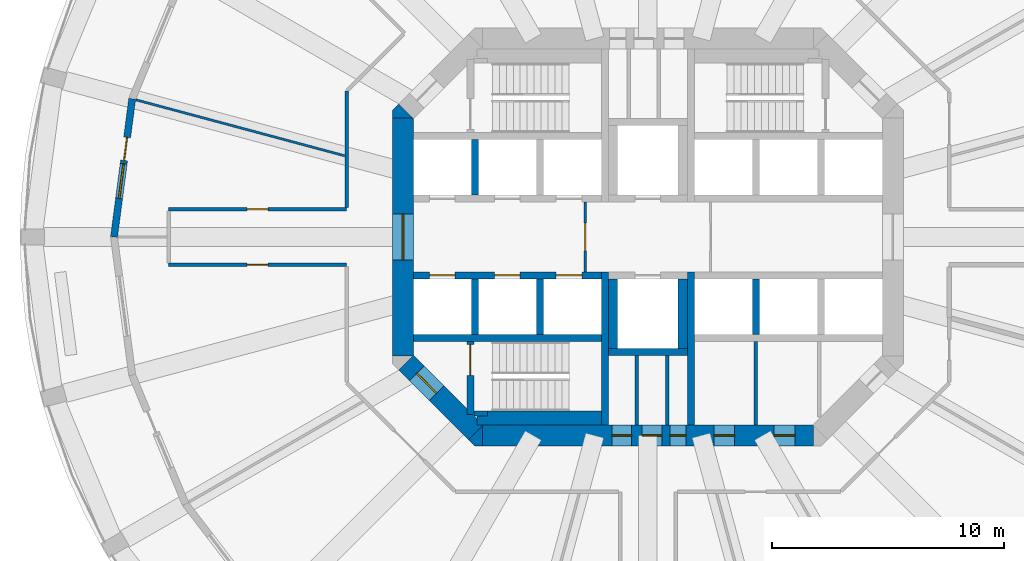
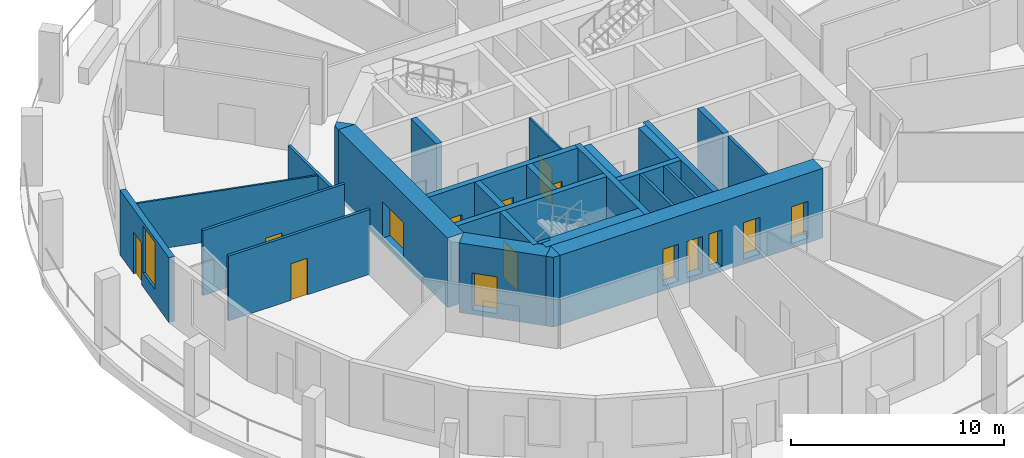
# One storey, part 3 of 9: 28 walls, 15 doors, 1 window, 16 openings.
"""IFC4 building model written with IfcOpenShell, lengths in metres."""

from ifc_helpers import new_model, si_unit, direction, frame, frame_2d, origin, place, context, subcontext, project, spatial, polyline, rectangle, outline, extrude, material, layer, layer_set, type_object, element, fill, save


model = new_model("IFC4")

# Units and contexts
model_context = context("Model", 3, precision=1e-05, world=origin(), true_north=direction((0.0, 1.0)))
body_context = subcontext(model_context, "Body", "Model", "MODEL_VIEW")
ifc_project = project(units=[si_unit("LENGTHUNIT", "METRE"), si_unit("AREAUNIT", "SQUARE_METRE"), si_unit("VOLUMEUNIT", "CUBIC_METRE"), si_unit("PLANEANGLEUNIT", "RADIAN"), si_unit("MASSUNIT", "GRAM", prefix="KILO")], contexts=[model_context])

# Site, building, storey
site_placement = place(None, origin())
site = spatial("IfcSite", under=ifc_project, at=site_placement, CompositionType="ELEMENT")
building_placement = place(site_placement, origin())
building = spatial("IfcBuilding", under=site, at=building_placement, Name="Torre Triforio", CompositionType="ELEMENT")
storey_placement = place(building_placement, frame((0.0, 0.0, 71.0)))
storey = spatial("IfcBuildingStorey", under=building, at=storey_placement, Name="L15", CompositionType="ELEMENT", Elevation=71.0)

# Walls
ifc_material_1 = material(Name="Concrete C60", Category="concrete")
ifc_layer_1 = layer(ifc_material_1, 0.300048828125)
ifc_layer_set_1 = layer_set([ifc_layer_1], Name="Concrete C60")
wall_type_1 = type_object("IfcWallType", Name="Core wall 300 mm C60 EI 120", PredefinedType="SHEAR", material=ifc_layer_set_1)
for number, where, z_axis, x_axis, name in (
    (1, (-1.85009765625, -8.10009765625, 0.0), (0.0, 0.0, 1.0), (0.0, 1.0, 0.0), "Core wall"),
    (2, (1.85009765625, -8.10009765625, 0.0), (0.0, 0.0, 1.0), (0.0, 1.0, 0.0), "Core wall"),
):
    element("IfcWall", number, at=place(storey_placement, frame(where, z_axis=z_axis, x_axis=x_axis)), inside=storey, type_object=wall_type_1, Name=name, PredefinedType="SHEAR", context=body_context, shape_type="SweptSolid", body=[
        extrude(rectangle(XDim=6.60009765625, YDim=0.300048828125, at=frame_2d((3.300048828125, 0.0))), origin(), (0.0, 0.0, 1.0), 3.719970703125),
    ])

# Wall, openings, doors
ifc_layer_2 = layer(ifc_material_1, 0.89990234375)
ifc_layer_set_2 = layer_set([ifc_layer_2], Name="Concrete C60")
wall_type_2 = type_object("IfcWallType", Name="Core wall 900 mm C60 EI 120", PredefinedType="SHEAR", material=ifc_layer_set_2)
wall_1_placement = place(storey_placement, frame((-7.1298828125, -8.550048828125, -0.280029296875), z_axis=(0.0, 0.0, 1.0), x_axis=(1.0, 0.0, 0.0)))
wall_1 = element("IfcWall", 3, at=wall_1_placement, inside=storey, type_object=wall_type_2, Name="Core wall", PredefinedType="SHEAR", context=body_context, shape_type="SweptSolid", body=[
    extrude(rectangle(XDim=14.259765625, YDim=0.89990234375, at=frame_2d((7.1298828125, 0.0))), origin(), (0.0, 0.0, 1.0), 4.0),
])
opening_1_placement = place(wall_1_placement, frame((8.080078125, 0.0, 0.280029296875)))
opening_1 = element("IfcOpeningElement", 4, at=opening_1_placement, cuts=wall_1, Name="Opening RISER-S", PredefinedType="OPENING", context=body_context, shape_type="SweptSolid", body=[
    extrude(rectangle(XDim=0.699951171875, YDim=2.10009765625, at=frame_2d((0.35009765625, 1.050048828125))), frame((0.0, 0.4599609375, 0.0), z_axis=(0.0, -1.0, 0.0), x_axis=(1.0, 0.0, 0.0)), (0.0, 0.0, 1.0), 0.919921875),
])
opening_2_placement = place(wall_1_placement, frame((5.580078125, 0.0, 0.280029296875)))
opening_2 = element("IfcOpeningElement", 5, at=opening_2_placement, cuts=wall_1, Name="Opening SW-01A", PredefinedType="OPENING", context=body_context, shape_type="SweptSolid", body=[
    extrude(rectangle(XDim=0.85009765625, YDim=2.10009765625, at=frame_2d((0.425048828125, 1.050048828125))), frame((0.0, 0.4599609375, 0.0), z_axis=(0.0, -1.0, 0.0), x_axis=(1.0, 0.0, 0.0)), (0.0, 0.0, 1.0), 0.919921875),
])
opening_3_placement = place(wall_1_placement, frame((6.8798828125, 0.0, 0.280029296875)))
opening_3 = element("IfcOpeningElement", 6, at=opening_3_placement, cuts=wall_1, Name="Opening SW-02", PredefinedType="OPENING", context=body_context, shape_type="SweptSolid", body=[
    extrude(rectangle(XDim=0.85009765625, YDim=2.10009765625, at=frame_2d((0.425048828125, 1.050048828125))), frame((0.0, 0.4599609375, 0.0), z_axis=(0.0, -1.0, 0.0), x_axis=(1.0, 0.0, 0.0)), (0.0, 0.0, 1.0), 0.919921875),
])
opening_4_placement = place(wall_1_placement, frame((9.967041015625, 0.0, 0.280029296875)))
opening_4 = element("IfcOpeningElement", 7, at=opening_4_placement, cuts=wall_1, Name="Opening SE-01A", PredefinedType="OPENING", context=body_context, shape_type="SweptSolid", body=[
    extrude(rectangle(XDim=0.89990234375, YDim=2.10009765625, at=frame_2d((0.449951171875, 1.050048828125))), frame((0.0, 0.4599609375, 0.0), z_axis=(0.0, -1.0, 0.0), x_axis=(1.0, 0.0, 0.0)), (0.0, 0.0, 1.0), 0.919921875),
])
opening_5_placement = place(wall_1_placement, frame((12.56689453125, 0.0, 0.280029296875)))
opening_5 = element("IfcOpeningElement", 8, at=opening_5_placement, cuts=wall_1, Name="Opening SE-02", PredefinedType="OPENING", context=body_context, shape_type="SweptSolid", body=[
    extrude(rectangle(XDim=0.89990234375, YDim=2.10009765625, at=frame_2d((0.449951171875, 1.050048828125))), frame((0.0, 0.4599609375, 0.0), z_axis=(0.0, -1.0, 0.0), x_axis=(1.0, 0.0, 0.0)), (0.0, 0.0, 1.0), 0.919921875),
])
ifc_material_2 = material(Name="Hollow metal fire door leaf")
door_type_1 = type_object("IfcDoorType", Name="Riser door 700 x 2100 EI 60", OperationType="NOTDEFINED", PredefinedType="DOOR", material=ifc_material_2)
door_1_placement = place(opening_1_placement, origin())
door_1 = element("IfcDoor", 9, at=door_1_placement, inside=storey, type_object=door_type_1, Name="Core door RISER-S", OperationType="SINGLE_SWING_RIGHT", OverallHeight=2.10009765625, OverallWidth=0.699951171875, PredefinedType="DOOR", context=body_context, shape_type="SweptSolid", body=[
    extrude(rectangle(XDim=0.699951171875, YDim=2.10009765625, at=frame_2d((0.35009765625, 1.050048828125))), frame((0.0, 0.02490234375, 0.0), z_axis=(0.0, -1.0, 0.0), x_axis=(1.0, 0.0, 0.0)), (0.0, 0.0, 1.0), 0.050048828125),
])
fill(opening_1, door_1)
door_type_2 = type_object("IfcDoorType", Name="Room door 850 x 2100 EI 60", OperationType="NOTDEFINED", PredefinedType="DOOR", material=ifc_material_2)
door_2_placement = place(opening_2_placement, origin())
door_2 = element("IfcDoor", 10, at=door_2_placement, inside=storey, type_object=door_type_2, Name="Core door SW-01", OperationType="SINGLE_SWING_RIGHT", OverallHeight=2.10009765625, OverallWidth=0.85009765625, PredefinedType="DOOR", context=body_context, shape_type="SweptSolid", body=[
    extrude(rectangle(XDim=0.85009765625, YDim=2.10009765625, at=frame_2d((0.425048828125, 1.050048828125))), frame((0.0, 0.02490234375, 0.0), z_axis=(0.0, -1.0, 0.0), x_axis=(1.0, 0.0, 0.0)), (0.0, 0.0, 1.0), 0.050048828125),
])
fill(opening_2, door_2)
door_3_placement = place(opening_3_placement, origin())
door_3 = element("IfcDoor", 11, at=door_3_placement, inside=storey, type_object=door_type_2, Name="Core door SW-02", OperationType="SINGLE_SWING_LEFT", OverallHeight=2.10009765625, OverallWidth=0.85009765625, PredefinedType="DOOR", context=body_context, shape_type="SweptSolid", body=[
    extrude(rectangle(XDim=0.85009765625, YDim=2.10009765625, at=frame_2d((0.425048828125, 1.050048828125))), frame((0.0, 0.02490234375, 0.0), z_axis=(0.0, -1.0, 0.0), x_axis=(1.0, 0.0, 0.0)), (0.0, 0.0, 1.0), 0.050048828125),
])
fill(opening_3, door_3)
door_type_3 = type_object("IfcDoorType", Name="Room door 900 x 2100 EI 60", OperationType="NOTDEFINED", PredefinedType="DOOR", material=ifc_material_2)
door_4_placement = place(opening_4_placement, origin())
door_4 = element("IfcDoor", 12, at=door_4_placement, inside=storey, type_object=door_type_3, Name="Core door SE-01", OperationType="SINGLE_SWING_LEFT", OverallHeight=2.10009765625, OverallWidth=0.89990234375, PredefinedType="DOOR", context=body_context, shape_type="SweptSolid", body=[
    extrude(rectangle(XDim=0.89990234375, YDim=2.10009765625, at=frame_2d((0.449951171875, 1.050048828125))), frame((0.0, 0.02490234375, 0.0), z_axis=(0.0, -1.0, 0.0), x_axis=(1.0, 0.0, 0.0)), (0.0, 0.0, 1.0), 0.050048828125),
])
fill(opening_4, door_4)
door_5_placement = place(opening_5_placement, origin())
door_5 = element("IfcDoor", 13, at=door_5_placement, inside=storey, type_object=door_type_3, Name="Core door SE-02", OperationType="SINGLE_SWING_LEFT", OverallHeight=2.10009765625, OverallWidth=0.89990234375, PredefinedType="DOOR", context=body_context, shape_type="SweptSolid", body=[
    extrude(rectangle(XDim=0.89990234375, YDim=2.10009765625, at=frame_2d((0.449951171875, 1.050048828125))), frame((0.0, 0.02490234375, 0.0), z_axis=(0.0, -1.0, 0.0), x_axis=(1.0, 0.0, 0.0)), (0.0, 0.0, 1.0), 0.050048828125),
])
fill(opening_5, door_5)

# Wall, opening, door
wall_2_placement = place(storey_placement, frame((-10.550048828125, -5.1298828125, -0.280029296875), z_axis=(0.0, 0.0, 1.0), x_axis=(0.0, 1.0, 0.0)))
wall_2 = element("IfcWall", 14, at=wall_2_placement, inside=storey, type_object=wall_type_2, Name="Core wall", PredefinedType="SHEAR", context=body_context, shape_type="SweptSolid", body=[
    extrude(rectangle(XDim=10.259765625, YDim=0.89990234375, at=frame_2d((5.1298828125, 0.0))), origin(), (0.0, 0.0, 1.0), 4.0),
])
opening_6_placement = place(wall_2_placement, frame((4.1298828125, 0.0, 0.280029296875)))
opening_6 = element("IfcOpeningElement", 15, at=opening_6_placement, cuts=wall_2, Name="Opening W-RING", PredefinedType="OPENING", context=body_context, shape_type="SweptSolid", body=[
    extrude(rectangle(XDim=2.0, YDim=2.10009765625, at=frame_2d((1.0, 1.050048828125))), frame((0.0, 0.4599609375, 0.0), z_axis=(0.0, -1.0, 0.0), x_axis=(1.0, 0.0, 0.0)), (0.0, 0.0, 1.0), 0.919921875),
])
door_type_4 = type_object("IfcDoorType", Name="Lobby door 2000 x 2100 EI 60", OperationType="DOUBLE_DOOR_SINGLE_SWING", PredefinedType="DOOR", material=ifc_material_2)
door_6_placement = place(opening_6_placement, origin())
door_6 = element("IfcDoor", 16, at=door_6_placement, inside=storey, type_object=door_type_4, Name="Core door W-RING", OperationType="DOUBLE_DOOR_SINGLE_SWING", OverallHeight=2.10009765625, OverallWidth=2.0, PredefinedType="DOOR", context=body_context, shape_type="SweptSolid", body=[
    extrude(rectangle(XDim=2.0, YDim=2.10009765625, at=frame_2d((1.0, 1.050048828125))), frame((0.0, 0.02490234375, 0.0), z_axis=(0.0, -1.0, 0.0), x_axis=(1.0, 0.0, 0.0)), (0.0, 0.0, 1.0), 0.050048828125),
])
fill(opening_6, door_6)

wall_3_placement = place(storey_placement, frame((-7.418212890625, -8.418212890625, -0.280029296875), z_axis=(0.0, 0.0, 1.0), x_axis=(-0.707106781187, 0.707106781187, 0.0)))
wall_3 = element("IfcWall", 17, at=wall_3_placement, inside=storey, type_object=wall_type_2, Name="Core wall", PredefinedType="SHEAR", context=body_context, shape_type="SweptSolid", body=[
    extrude(rectangle(XDim=4.24267578125, YDim=0.89990234375, at=frame_2d((2.121337890625, 0.0))), origin(), (0.0, 0.0, 1.0), 4.0),
])
opening_7_placement = place(wall_3_placement, frame((2.392578125, 0.0, 0.280029296875)))
opening_7 = element("IfcOpeningElement", 18, at=opening_7_placement, cuts=wall_3, Name="Opening ST3-EXIT", PredefinedType="OPENING", context=body_context, shape_type="SweptSolid", body=[
    extrude(rectangle(XDim=1.199951171875, YDim=2.10009765625, at=frame_2d((0.60009765625, 1.050048828125))), frame((0.0, 0.4599609375, 0.0), z_axis=(0.0, -1.0, 0.0), x_axis=(1.0, 0.0, 0.0)), (0.0, 0.0, 1.0), 0.919921875),
])
door_type_5 = type_object("IfcDoorType", Name="Stair lobby door 1200 x 2100 EI 60", OperationType="NOTDEFINED", PredefinedType="DOOR", material=ifc_material_2)
door_7_placement = place(opening_7_placement, origin())
door_7 = element("IfcDoor", 19, at=door_7_placement, inside=storey, type_object=door_type_5, Name="Core door ST3-EXIT", OperationType="SINGLE_SWING_RIGHT", OverallHeight=2.10009765625, OverallWidth=1.199951171875, PredefinedType="DOOR", context=body_context, shape_type="SweptSolid", body=[
    extrude(rectangle(XDim=1.199951171875, YDim=2.10009765625, at=frame_2d((0.60009765625, 1.050048828125))), frame((0.0, 0.02490234375, 0.0), z_axis=(0.0, -1.0, 0.0), x_axis=(1.0, 0.0, 0.0)), (0.0, 0.0, 1.0), 0.050048828125),
])
fill(opening_7, door_7)

# Walls
wall_4_placement = place(storey_placement, frame((0.0, 0.0, -0.280029296875)))
element("IfcWall", 20, at=wall_4_placement, inside=storey, type_object=wall_type_2, Name="Core wall", PredefinedType="SHEAR", context=body_context, shape_type="SweptSolid", body=[
    extrude(outline(polyline([(-7.472900390625, -9.0), (-7.736328125, -8.736328125), (-7.1298828125, -8.1298828125), (-7.1298828125, -9.0), (-7.472900390625, -9.0)])), origin(), (0.0, 0.0, 1.0), 4.0),
])
wall_5_placement = place(storey_placement, frame((0.0, 0.0, -0.280029296875)))
element("IfcWall", 21, at=wall_5_placement, inside=storey, type_object=wall_type_2, Name="Core wall", PredefinedType="SHEAR", context=body_context, shape_type="SweptSolid", body=[
    extrude(outline(polyline([(-10.736328125, 5.736328125), (-10.1298828125, 5.1298828125), (-11.0, 5.1298828125), (-11.0, 5.472900390625), (-10.736328125, 5.736328125)])), origin(), (0.0, 0.0, 1.0), 4.0),
])

# Wall, opening, door
ifc_material_3 = material(Name="Plasterboard on metal studs")
ifc_layer_3 = layer(ifc_material_3, 0.14990234375)
ifc_layer_set_3 = layer_set([ifc_layer_3], Name="Plasterboard on metal studs")
wall_type_3 = type_object("IfcWallType", Name="Corridor and tenancy wall 150 mm EI 60", PredefinedType="PARTITIONING", material=ifc_layer_set_3)
wall_6_placement = place(storey_placement, frame((-12.97509765625, -1.199951171875, 0.0), z_axis=(0.0, 0.0, 1.0), x_axis=(-1.0, 0.0, 0.0)))
wall_6 = element("IfcWall", 22, at=wall_6_placement, inside=storey, type_object=wall_type_3, Name="Partition 3", PredefinedType="PARTITIONING", context=body_context, shape_type="SweptSolid", body=[
    extrude(rectangle(XDim=7.673583984375, YDim=0.14990234375, at=frame_2d((3.8369140625, 0.0))), origin(), (0.0, 0.0, 1.0), 3.719970703125),
])
opening_8_placement = place(wall_6_placement, frame((3.386962890625, 0.0, 0.0)))
opening_8 = element("IfcOpeningElement", 23, at=opening_8_placement, cuts=wall_6, Name="Opening N5-07", PredefinedType="OPENING", context=body_context, shape_type="SweptSolid", body=[
    extrude(rectangle(XDim=0.89990234375, YDim=2.10009765625, at=frame_2d((0.449951171875, 1.050048828125))), frame((0.0, 0.0849609375, 0.0), z_axis=(0.0, -1.0, 0.0), x_axis=(1.0, 0.0, 0.0)), (0.0, 0.0, 1.0), 0.169921875),
])
ifc_material_4 = material(Name="Timber", Category="wood")
door_type_6 = type_object("IfcDoorType", Name="Door 900 x 2100 single leaf EI 30", OperationType="NOTDEFINED", PredefinedType="DOOR", material=ifc_material_4)
door_8_placement = place(opening_8_placement, origin())
door_8 = element("IfcDoor", 24, at=door_8_placement, inside=storey, type_object=door_type_6, Name="Door N5-07", OperationType="SINGLE_SWING_RIGHT", OverallHeight=2.10009765625, OverallWidth=0.89990234375, PredefinedType="DOOR", context=body_context, shape_type="SweptSolid", body=[
    extrude(rectangle(XDim=0.89990234375, YDim=2.10009765625, at=frame_2d((0.449951171875, 1.050048828125))), frame((0.0, 0.02490234375, 0.0), z_axis=(0.0, -1.0, 0.0), x_axis=(1.0, 0.0, 0.0)), (0.0, 0.0, 1.0), 0.050048828125),
])
fill(opening_8, door_8)

wall_7_placement = place(storey_placement, frame((-20.648681640625, 1.199951171875, 0.0), z_axis=(0.0, 0.0, 1.0), x_axis=(1.0, 0.0, 0.0)))
wall_7 = element("IfcWall", 25, at=wall_7_placement, inside=storey, type_object=wall_type_3, Name="Partition 5", PredefinedType="PARTITIONING", context=body_context, shape_type="SweptSolid", body=[
    extrude(rectangle(XDim=7.673583984375, YDim=0.14990234375, at=frame_2d((3.8369140625, 0.0))), origin(), (0.0, 0.0, 1.0), 3.719970703125),
])
opening_9_placement = place(wall_7_placement, frame((3.386962890625, 0.0, 0.0)))
opening_9 = element("IfcOpeningElement", 26, at=opening_9_placement, cuts=wall_7, Name="Opening N5-06", PredefinedType="OPENING", context=body_context, shape_type="SweptSolid", body=[
    extrude(rectangle(XDim=0.89990234375, YDim=2.10009765625, at=frame_2d((0.449951171875, 1.050048828125))), frame((0.0, 0.0849609375, 0.0), z_axis=(0.0, -1.0, 0.0), x_axis=(1.0, 0.0, 0.0)), (0.0, 0.0, 1.0), 0.169921875),
])
door_9_placement = place(opening_9_placement, origin())
door_9 = element("IfcDoor", 27, at=door_9_placement, inside=storey, type_object=door_type_6, Name="Door N5-06", OperationType="SINGLE_SWING_RIGHT", OverallHeight=2.10009765625, OverallWidth=0.89990234375, PredefinedType="DOOR", context=body_context, shape_type="SweptSolid", body=[
    extrude(rectangle(XDim=0.89990234375, YDim=2.10009765625, at=frame_2d((0.449951171875, 1.050048828125))), frame((0.0, 0.02490234375, 0.0), z_axis=(0.0, -1.0, 0.0), x_axis=(1.0, 0.0, 0.0)), (0.0, 0.0, 1.0), 0.050048828125),
])
fill(opening_9, door_9)

# Wall
wall_8_placement = place(storey_placement, frame((-12.97509765625, 1.27490234375, 0.0), z_axis=(0.0, 0.0, 1.0), x_axis=(0.0, 1.0, 0.0)))
element("IfcWall", 28, at=wall_8_placement, inside=storey, type_object=wall_type_3, Name="Partition 6", PredefinedType="PARTITIONING", context=body_context, shape_type="SweptSolid", body=[
    extrude(rectangle(XDim=5.01611328125, YDim=0.14990234375, at=frame_2d((2.508056640625, 0.0))), origin(), (0.0, 0.0, 1.0), 2.820068359375),
])

# Wall, opening, door
ifc_material_5 = material(Name="Block and board partition")
ifc_layer_4 = layer(ifc_material_5, 0.10009765625)
ifc_layer_set_4 = layer_set([ifc_layer_4], Name="Block and board partition")
wall_type_4 = type_object("IfcWallType", Name="Partition 100 mm EI 120", PredefinedType="PARTITIONING", material=ifc_layer_set_4)
wall_9_placement = place(storey_placement, frame((-2.699951171875, -1.5, 0.0), z_axis=(0.0, 0.0, 1.0), x_axis=(0.0, 1.0, 0.0)))
wall_9 = element("IfcWall", 29, at=wall_9_placement, inside=storey, type_object=wall_type_4, Name="Partition", PredefinedType="PARTITIONING", context=body_context, shape_type="SweptSolid", body=[
    extrude(rectangle(XDim=3.0, YDim=0.10009765625, at=frame_2d((1.5, 0.0))), origin(), (0.0, 0.0, 1.0), 3.719970703125),
])
opening_10_placement = place(wall_9_placement, frame((0.89990234375, 0.0, 0.0)))
opening_10 = element("IfcOpeningElement", 30, at=opening_10_placement, cuts=wall_9, Name="Opening FF-W", PredefinedType="OPENING", context=body_context, shape_type="SweptSolid", body=[
    extrude(rectangle(XDim=1.199951171875, YDim=2.10009765625, at=frame_2d((0.60009765625, 1.050048828125))), frame((0.0, 0.06005859375, 0.0), z_axis=(0.0, -1.0, 0.0), x_axis=(1.0, 0.0, 0.0)), (0.0, 0.0, 1.0), 0.1201171875),
])
door_type_7 = type_object("IfcDoorType", Name="Fire-fighting lobby door 1200 x 2100 EI 60", OperationType="NOTDEFINED", PredefinedType="DOOR", material=ifc_material_2)
door_10_placement = place(opening_10_placement, origin())
door_10 = element("IfcDoor", 31, at=door_10_placement, inside=storey, type_object=door_type_7, Name="Core door FF-W", OperationType="SINGLE_SWING_RIGHT", OverallHeight=2.10009765625, OverallWidth=1.199951171875, PredefinedType="DOOR", context=body_context, shape_type="SweptSolid", body=[
    extrude(rectangle(XDim=1.199951171875, YDim=2.10009765625, at=frame_2d((0.60009765625, 1.050048828125))), frame((0.0, 0.02490234375, 0.0), z_axis=(0.0, -1.0, 0.0), x_axis=(1.0, 0.0, 0.0)), (0.0, 0.0, 1.0), 0.050048828125),
])
fill(opening_10, door_10)

# Walls
ifc_layer_5 = layer(ifc_material_3, 0.10009765625)
ifc_layer_set_5 = layer_set([ifc_layer_5], Name="Plasterboard on metal studs")
wall_type_5 = type_object("IfcWallType", Name="Partition 100 mm board on metal studs", PredefinedType="PARTITIONING", material=ifc_layer_set_5)
wall_10_placement = place(storey_placement, frame((-13.064208984375, 3.50048828125, 0.0), z_axis=(0.0, 0.0, 1.0), x_axis=(-0.965922655056, 0.258830880017, 0.0)))
element("IfcWall", 32, at=wall_10_placement, inside=storey, type_object=wall_type_5, Name="Partition 38", PredefinedType="PARTITIONING", context=body_context, shape_type="SweptSolid", body=[
    extrude(rectangle(XDim=9.311767578125, YDim=0.10009765625, at=frame_2d((4.65576171875, 0.0))), origin(), (0.0, 0.0, 1.0), 2.820068359375),
])
ifc_layer_6 = layer(ifc_material_5, 0.14990234375)
ifc_layer_set_6 = layer_set([ifc_layer_6], Name="Block and board partition")
wall_type_6 = type_object("IfcWallType", Name="Partition 150 mm", PredefinedType="PARTITIONING", material=ifc_layer_set_6)
wall_11_placement = place(storey_placement, frame((-0.47509765625, -8.10009765625, 0.0), z_axis=(0.0, 0.0, 1.0), x_axis=(0.0, 1.0, 0.0)))
element("IfcWall", 33, at=wall_11_placement, inside=storey, type_object=wall_type_6, Name="Partition", PredefinedType="PARTITIONING", context=body_context, shape_type="SweptSolid", body=[
    extrude(rectangle(XDim=3.0, YDim=0.14990234375, at=frame_2d((1.5, 0.0))), origin(), (0.0, 0.0, 1.0), 3.719970703125),
])
wall_12_placement = place(storey_placement, frame((4.64892578125, -8.10009765625, 0.0), z_axis=(0.0, 0.0, 1.0), x_axis=(0.0, 1.0, 0.0)))
element("IfcWall", 34, at=wall_12_placement, inside=storey, type_object=wall_type_6, Name="Partition", PredefinedType="PARTITIONING", context=body_context, shape_type="SweptSolid", body=[
    extrude(rectangle(XDim=3.60009765625, YDim=0.14990234375, at=frame_2d((1.800048828125, 0.0))), origin(), (0.0, 0.0, 1.0), 3.719970703125),
])
ifc_layer_7 = layer(ifc_material_5, 0.14990234375)
ifc_layer_set_7 = layer_set([ifc_layer_7], Name="Block and board partition")
wall_type_7 = type_object("IfcWallType", Name="Partition 150 mm EI 120", PredefinedType="PARTITIONING", material=ifc_layer_set_7)
wall_13_placement = place(storey_placement, frame((0.824951171875, -8.10009765625, 0.0), z_axis=(0.0, 0.0, 1.0), x_axis=(0.0, 1.0, 0.0)))
element("IfcWall", 35, at=wall_13_placement, inside=storey, type_object=wall_type_7, Name="Partition", PredefinedType="PARTITIONING", context=body_context, shape_type="SweptSolid", body=[
    extrude(rectangle(XDim=3.0, YDim=0.14990234375, at=frame_2d((1.5, 0.0))), origin(), (0.0, 0.0, 1.0), 3.719970703125),
])
ifc_layer_8 = layer(ifc_material_1, 0.300048828125)
ifc_layer_set_8 = layer_set([ifc_layer_8], Name="Concrete C60")
wall_type_8 = type_object("IfcWallType", Name="Shaft wall 300 mm C60 EI 120", PredefinedType="SOLIDWALL", material=ifc_layer_set_8)
wall_14_placement = place(storey_placement, frame((-10.10009765625, -4.35009765625, 0.0), z_axis=(0.0, 0.0, 1.0), x_axis=(1.0, 0.0, 0.0)))
element("IfcWall", 36, at=wall_14_placement, inside=storey, type_object=wall_type_8, Name="Shaft wall", PredefinedType="SOLIDWALL", context=body_context, shape_type="SweptSolid", body=[
    extrude(rectangle(XDim=8.10009765625, YDim=0.300048828125, at=frame_2d((4.050048828125, 0.0))), origin(), (0.0, 0.0, 1.0), 3.719970703125),
])

# Wall, openings, doors
wall_15_placement = place(storey_placement, frame((-10.10009765625, -1.64990234375, 0.0), z_axis=(0.0, 0.0, 1.0), x_axis=(1.0, 0.0, 0.0)))
wall_15 = element("IfcWall", 37, at=wall_15_placement, inside=storey, type_object=wall_type_8, Name="Shaft wall", PredefinedType="SOLIDWALL", context=body_context, shape_type="SweptSolid", body=[
    extrude(rectangle(XDim=8.10009765625, YDim=0.300048828125, at=frame_2d((4.050048828125, 0.0))), origin(), (0.0, 0.0, 1.0), 3.719970703125),
])
opening_11_placement = place(wall_15_placement, frame((0.699951171875, 0.0, 0.0)))
opening_11 = element("IfcOpeningElement", 38, at=opening_11_placement, cuts=wall_15, Name="Opening LD", PredefinedType="OPENING", context=body_context, shape_type="SweptSolid", body=[
    extrude(rectangle(XDim=1.10009765625, YDim=2.10009765625, at=frame_2d((0.550048828125, 1.050048828125))), frame((0.0, 0.159912109375, 0.0), z_axis=(0.0, -1.0, 0.0), x_axis=(1.0, 0.0, 0.0)), (0.0, 0.0, 1.0), 0.320068359375),
])
opening_12_placement = place(wall_15_placement, frame((3.5, 0.0, 0.0)))
opening_12 = element("IfcOpeningElement", 39, at=opening_12_placement, cuts=wall_15, Name="Opening LD", PredefinedType="OPENING", context=body_context, shape_type="SweptSolid", body=[
    extrude(rectangle(XDim=1.10009765625, YDim=2.10009765625, at=frame_2d((0.550048828125, 1.050048828125))), frame((0.0, 0.159912109375, 0.0), z_axis=(0.0, -1.0, 0.0), x_axis=(1.0, 0.0, 0.0)), (0.0, 0.0, 1.0), 0.320068359375),
])
opening_13_placement = place(wall_15_placement, frame((6.14990234375, 0.0, 0.0)))
opening_13 = element("IfcOpeningElement", 40, at=opening_13_placement, cuts=wall_15, Name="Opening LD", PredefinedType="OPENING", context=body_context, shape_type="SweptSolid", body=[
    extrude(rectangle(XDim=1.10009765625, YDim=2.10009765625, at=frame_2d((0.550048828125, 1.050048828125))), frame((0.0, 0.159912109375, 0.0), z_axis=(0.0, -1.0, 0.0), x_axis=(1.0, 0.0, 0.0)), (0.0, 0.0, 1.0), 0.320068359375),
])
door_type_8 = type_object("IfcDoorType", Name="Landing door 1100 x 2100 EI 60", OperationType="DOUBLE_DOOR_SLIDING", PredefinedType="DOOR", material=ifc_material_2)
door_11_placement = place(opening_11_placement, origin())
door_11 = element("IfcDoor", 41, at=door_11_placement, inside=storey, type_object=door_type_8, Name="Landing door LR4", OperationType="DOUBLE_DOOR_SLIDING", OverallHeight=2.10009765625, OverallWidth=1.10009765625, PredefinedType="DOOR", context=body_context, shape_type="SweptSolid", body=[
    extrude(rectangle(XDim=1.10009765625, YDim=2.10009765625, at=frame_2d((0.550048828125, 1.050048828125))), frame((0.0, 0.02490234375, 0.0), z_axis=(0.0, -1.0, 0.0), x_axis=(1.0, 0.0, 0.0)), (0.0, 0.0, 1.0), 0.050048828125),
])
fill(opening_11, door_11)
door_12_placement = place(opening_12_placement, origin())
door_12 = element("IfcDoor", 42, at=door_12_placement, inside=storey, type_object=door_type_8, Name="Landing door LR5", OperationType="DOUBLE_DOOR_SLIDING", OverallHeight=2.10009765625, OverallWidth=1.10009765625, PredefinedType="DOOR", context=body_context, shape_type="SweptSolid", body=[
    extrude(rectangle(XDim=1.10009765625, YDim=2.10009765625, at=frame_2d((0.550048828125, 1.050048828125))), frame((0.0, 0.02490234375, 0.0), z_axis=(0.0, -1.0, 0.0), x_axis=(1.0, 0.0, 0.0)), (0.0, 0.0, 1.0), 0.050048828125),
])
fill(opening_12, door_12)
door_13_placement = place(opening_13_placement, origin())
door_13 = element("IfcDoor", 43, at=door_13_placement, inside=storey, type_object=door_type_8, Name="Landing door LR6", OperationType="DOUBLE_DOOR_SLIDING", OverallHeight=2.10009765625, OverallWidth=1.10009765625, PredefinedType="DOOR", context=body_context, shape_type="SweptSolid", body=[
    extrude(rectangle(XDim=1.10009765625, YDim=2.10009765625, at=frame_2d((0.550048828125, 1.050048828125))), frame((0.0, 0.02490234375, 0.0), z_axis=(0.0, -1.0, 0.0), x_axis=(1.0, 0.0, 0.0)), (0.0, 0.0, 1.0), 0.050048828125),
])
fill(opening_13, door_13)

# Walls
for number, where, z_axis, x_axis, name in (
    (44, (-7.449951171875, 1.800048828125, 0.0), (0.0, 0.0, 1.0), (0.0, 1.0, 0.0), "Shaft wall"),
    (45, (-7.449951171875, -4.199951171875, 0.0), (0.0, 0.0, 1.0), (0.0, 1.0, 0.0), "Shaft wall"),
    (46, (-4.64990234375, -4.199951171875, 0.0), (0.0, 0.0, 1.0), (0.0, 1.0, 0.0), "Shaft wall"),
    (47, (4.64990234375, -4.199951171875, 0.0), (0.0, 0.0, 1.0), (0.0, 1.0, 0.0), "Shaft wall"),
):
    element("IfcWall", number, at=place(storey_placement, frame(where, z_axis=z_axis, x_axis=x_axis)), inside=storey, type_object=wall_type_8, Name=name, PredefinedType="SOLIDWALL", context=body_context, shape_type="SweptSolid", body=[
        extrude(rectangle(XDim=2.39990234375, YDim=0.300048828125, at=frame_2d((1.199951171875, 0.0))), origin(), (0.0, 0.0, 1.0), 3.719970703125),
    ])
wall_16_placement = place(storey_placement, frame((-1.699951171875, -4.949951171875, 0.0), z_axis=(0.0, 0.0, 1.0), x_axis=(1.0, 0.0, 0.0)))
element("IfcWall", 48, at=wall_16_placement, inside=storey, type_object=wall_type_8, Name="Shaft wall", PredefinedType="SOLIDWALL", context=body_context, shape_type="SweptSolid", body=[
    extrude(rectangle(XDim=3.39990234375, YDim=0.300048828125, at=frame_2d((1.699951171875, 0.0))), origin(), (0.0, 0.0, 1.0), 3.719970703125),
])
ifc_layer_9 = layer(ifc_material_1, 0.39990234375)
ifc_layer_set_9 = layer_set([ifc_layer_9], Name="Concrete C60")
wall_type_9 = type_object("IfcWallType", Name="Shaft wall 400 mm C60 EI 120", PredefinedType="SOLIDWALL", material=ifc_layer_set_9)
for number, where, z_axis, x_axis, name in (
    (49, (-1.5, -4.800048828125, 0.0), (0.0, 0.0, 1.0), (0.0, 1.0, 0.0), "Shaft wall"),
    (50, (1.5, -4.800048828125, 0.0), (0.0, 0.0, 1.0), (0.0, 1.0, 0.0), "Shaft wall"),
):
    element("IfcWall", number, at=place(storey_placement, frame(where, z_axis=z_axis, x_axis=x_axis)), inside=storey, type_object=wall_type_9, Name=name, PredefinedType="SOLIDWALL", context=body_context, shape_type="SweptSolid", body=[
        extrude(rectangle(XDim=3.0, YDim=0.39990234375, at=frame_2d((1.5, 0.0))), origin(), (0.0, 0.0, 1.0), 3.719970703125),
    ])
ifc_layer_10 = layer(ifc_material_1, 0.199951171875)
ifc_layer_set_10 = layer_set([ifc_layer_10], Name="Concrete C60")
wall_type_10 = type_object("IfcWallType", Name="Stair wall 200 mm C60 EI 120", PredefinedType="SHEAR", material=ifc_layer_set_10)
wall_17_placement = place(storey_placement, frame((-7.5, -7.60009765625, 0.0), z_axis=(0.0, 0.0, 1.0), x_axis=(1.0, 0.0, 0.0)))
element("IfcWall", 51, at=wall_17_placement, inside=storey, type_object=wall_type_10, Name="Stair wall", PredefinedType="SHEAR", context=body_context, shape_type="SweptSolid", body=[
    extrude(rectangle(XDim=0.60009765625, YDim=0.199951171875, at=frame_2d((0.300048828125, 0.0))), origin(), (0.0, 0.0, 1.0), 3.719970703125),
])

# Wall, opening, door
ifc_layer_11 = layer(ifc_material_1, 0.300048828125)
ifc_layer_set_11 = layer_set([ifc_layer_11], Name="Concrete C60")
wall_type_11 = type_object("IfcWallType", Name="Stair wall 300 mm C60 EI 120", PredefinedType="SHEAR", material=ifc_layer_set_11)
wall_18_placement = place(storey_placement, frame((-7.64990234375, -7.639892578125, 0.0), z_axis=(0.0, 0.0, 1.0), x_axis=(0.0, 1.0, 0.0)))
wall_18 = element("IfcWall", 52, at=wall_18_placement, inside=storey, type_object=wall_type_11, Name="Stair wall", PredefinedType="SHEAR", context=body_context, shape_type="SweptSolid", body=[
    extrude(rectangle(XDim=3.139892578125, YDim=0.300048828125, at=frame_2d((1.56982421875, 0.0))), origin(), (0.0, 0.0, 1.0), 3.719970703125),
])
opening_14_placement = place(wall_18_placement, frame((1.679931640625, 0.0, 0.0)))
opening_14 = element("IfcOpeningElement", 53, at=opening_14_placement, cuts=wall_18, Name="Opening ST3-STA", PredefinedType="OPENING", context=body_context, shape_type="SweptSolid", body=[
    extrude(rectangle(XDim=1.320068359375, YDim=2.10009765625, at=frame_2d((0.66015625, 1.050048828125))), frame((0.0, 0.159912109375, 0.0), z_axis=(0.0, -1.0, 0.0), x_axis=(1.0, 0.0, 0.0)), (0.0, 0.0, 1.0), 0.320068359375),
])
door_type_9 = type_object("IfcDoorType", Name="Stair door 1320 x 2100 EI 90", OperationType="DOUBLE_DOOR_SINGLE_SWING", PredefinedType="DOOR", material=ifc_material_2)
door_14_placement = place(opening_14_placement, origin())
door_14 = element("IfcDoor", 54, at=door_14_placement, inside=storey, type_object=door_type_9, Name="Core door ST3-ST", OperationType="DOUBLE_DOOR_SINGLE_SWING", OverallHeight=2.10009765625, OverallWidth=1.320068359375, PredefinedType="DOOR", context=body_context, shape_type="SweptSolid", body=[
    extrude(rectangle(XDim=1.320068359375, YDim=2.10009765625, at=frame_2d((0.66015625, 1.050048828125))), frame((0.0, 0.02490234375, 0.0), z_axis=(0.0, -1.0, 0.0), x_axis=(1.0, 0.0, 0.0)), (0.0, 0.0, 1.0), 0.050048828125),
])
fill(opening_14, door_14)

# Wall
ifc_layer_12 = layer(ifc_material_1, 0.60009765625)
ifc_layer_set_12 = layer_set([ifc_layer_12], Name="Concrete C60")
wall_type_12 = type_object("IfcWallType", Name="Stair wall 600 mm C60 EI 120", PredefinedType="SHEAR", material=ifc_layer_set_12)
wall_19_placement = place(storey_placement, frame((-7.3701171875, -7.800048828125, 0.0), z_axis=(0.0, 0.0, 1.0), x_axis=(1.0, 0.0, 0.0)))
element("IfcWall", 55, at=wall_19_placement, inside=storey, type_object=wall_type_12, Name="Stair wall", PredefinedType="SHEAR", context=body_context, shape_type="SweptSolid", body=[
    extrude(rectangle(XDim=5.3701171875, YDim=0.60009765625, at=frame_2d((2.68505859375, 0.0))), origin(), (0.0, 0.0, 1.0), 3.719970703125),
])

# Wall, openings, door, window
ifc_material_6 = material(Name="Limestone cladding", Category="masonry")
ifc_layer_13 = layer(ifc_material_6, 0.10009765625)
ifc_material_7 = material(Name="Concrete C40", Category="concrete")
ifc_layer_14 = layer(ifc_material_7, 0.199951171875)
ifc_layer_set_13 = layer_set([ifc_layer_13, ifc_layer_14], Name="Limestone cladding / Concrete C40")
wall_type_13 = type_object("IfcWallType", Name="Stone-faced composite wall 300", PredefinedType="STANDARD", material=ifc_layer_set_13)
wall_20_placement = place(storey_placement, frame((-22.21630859375, 5.952880859375, 0.0), z_axis=(0.0, 0.0, 1.0), x_axis=(-0.130522880875, -0.991445297315, 0.0)))
wall_20 = element("IfcWall", 56, at=wall_20_placement, inside=storey, type_object=wall_type_13, Name="External wall L15 bay 12", PredefinedType="STANDARD", context=body_context, shape_type="SweptSolid", body=[
    extrude(rectangle(XDim=6.004150390625, YDim=0.300048828125, at=frame_2d((3.001953125, 0.0))), origin(), (0.0, 0.0, 1.0), 3.719970703125),
])
opening_15_placement = place(wall_20_placement, frame((1.677001953125, 0.0, 0.0)))
opening_15 = element("IfcOpeningElement", 57, at=opening_15_placement, cuts=wall_20, Name="Opening N5-D12", PredefinedType="OPENING", context=body_context, shape_type="SweptSolid", body=[
    extrude(rectangle(XDim=1.0, YDim=2.39990234375, at=frame_2d((0.5, 1.199951171875))), frame((0.0, 0.159912109375, 0.0), z_axis=(0.0, -1.0, 0.0), x_axis=(1.0, 0.0, 0.0)), (0.0, 0.0, 1.0), 0.320068359375),
])
opening_16_placement = place(wall_20_placement, frame((2.8271484375, 0.0, 0.800048828125)))
opening_16 = element("IfcOpeningElement", 58, at=opening_16_placement, cuts=wall_20, Name="Opening N5-W12A", PredefinedType="OPENING", context=body_context, shape_type="SweptSolid", body=[
    extrude(rectangle(XDim=1.5, YDim=2.699951171875, at=frame_2d((0.75, 1.35009765625))), frame((0.0, 0.159912109375, 0.0), z_axis=(0.0, -1.0, 0.0), x_axis=(1.0, 0.0, 0.0)), (0.0, 0.0, 1.0), 0.320068359375),
])
ifc_material_8 = material(Name="Aluminium frame with clear double glazing", Category="aluminium")
door_type_10 = type_object("IfcDoorType", Name="Loggia door 1000 x 2400", OperationType="NOTDEFINED", PredefinedType="DOOR", material=ifc_material_8)
door_15_placement = place(opening_15_placement, origin())
door_15 = element("IfcDoor", 59, at=door_15_placement, inside=storey, type_object=door_type_10, Name="Loggia door L15 bay 12", OperationType="SINGLE_SWING_RIGHT", OverallHeight=2.39990234375, OverallWidth=1.0, PredefinedType="DOOR", context=body_context, shape_type="SweptSolid", body=[
    extrude(rectangle(XDim=1.0, YDim=2.39990234375, at=frame_2d((0.5, 1.199951171875))), frame((0.0, 0.02490234375, 0.0), z_axis=(0.0, -1.0, 0.0), x_axis=(1.0, 0.0, 0.0)), (0.0, 0.0, 1.0), 0.050048828125),
])
fill(opening_15, door_15)
window_type = type_object("IfcWindowType", Name="Side window 1500 x 2700", PartitioningType="SINGLE_PANEL", PredefinedType="WINDOW", material=ifc_material_8)
window_placement = place(opening_16_placement, origin())
window = element("IfcWindow", 60, at=window_placement, inside=storey, type_object=window_type, Name="Side window EWN12 L15 bay 12", OverallHeight=2.699951171875, OverallWidth=1.5, PartitioningType="SINGLE_PANEL", PredefinedType="WINDOW", context=body_context, shape_type="SweptSolid", body=[
    extrude(rectangle(XDim=1.5, YDim=2.699951171875, at=frame_2d((0.75, 1.35009765625))), frame((0.0, 0.030029296875, 0.0), z_axis=(0.0, -1.0, 0.0), x_axis=(1.0, 0.0, 0.0)), (0.0, 0.0, 1.0), 0.06005859375),
])
fill(opening_16, window)

save(model, "model.ifc")
